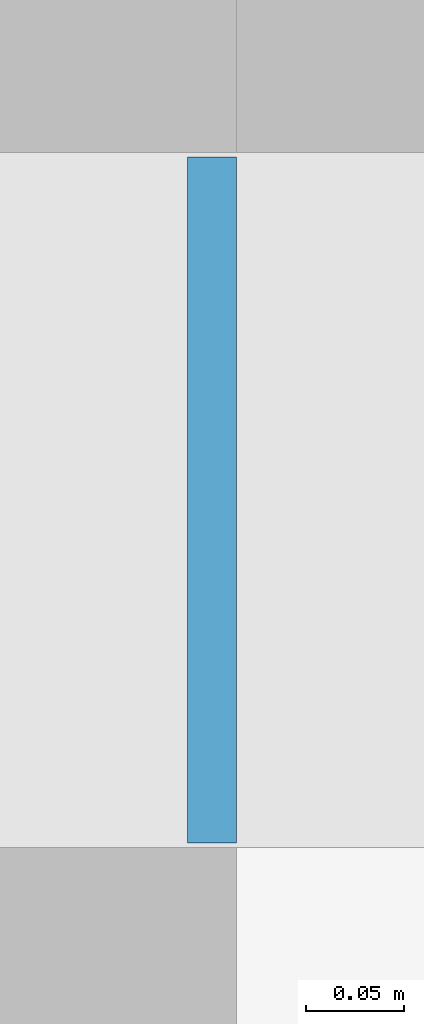
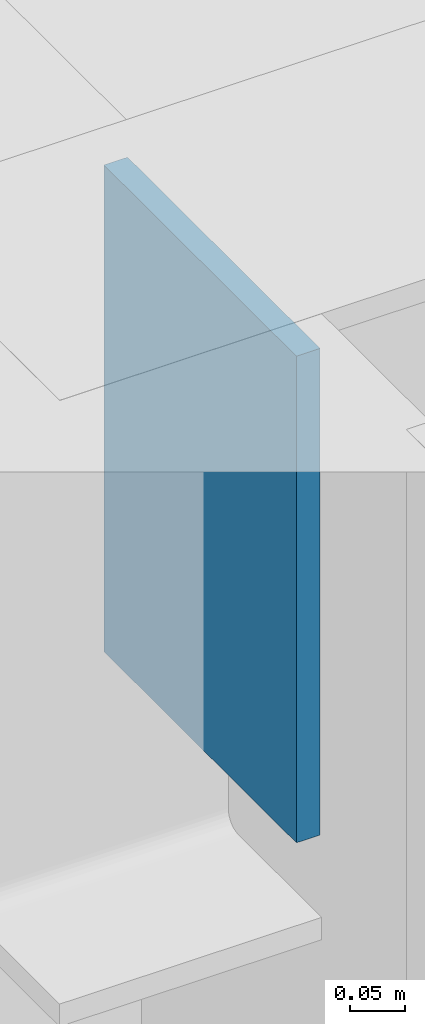
# One storey, part 8 of 13: 1 discrete accessory.
"""IFC4 building model written with IfcOpenShell, lengths in metres."""

from ifc_helpers import new_model, si_unit, direction, frame, origin, origin_2d, place, context, subcontext, project, spatial, rectangle, extrude, material, layer, layer_set, type_object, element, save


model = new_model("IFC4")

# Units and contexts
model_context = context("Model", 3, precision=1e-05, world=origin(), true_north=direction((0.0, 1.0)))
body_context = subcontext(model_context, "Body", "Model", "MODEL_VIEW")
ifc_project = project(units=[si_unit("LENGTHUNIT", "METRE"), si_unit("AREAUNIT", "SQUARE_METRE"), si_unit("VOLUMEUNIT", "CUBIC_METRE"), si_unit("PLANEANGLEUNIT", "RADIAN"), si_unit("MASSUNIT", "GRAM", prefix="KILO")], contexts=[model_context])

# Site, building, storey
site_placement = place(None, origin())
site = spatial("IfcSite", under=ifc_project, at=site_placement, CompositionType="ELEMENT")
building_placement = place(site_placement, origin())
building = spatial("IfcBuilding", under=site, at=building_placement, Name="Norrvale University Quadrangle", CompositionType="ELEMENT")
storey_placement = place(building_placement, frame((0.0, 0.0, 277.199951171875)))
storey = spatial("IfcBuildingStorey", under=building, at=storey_placement, Name="L70", CompositionType="ELEMENT", Elevation=277.199951171875)

# Discrete accessory
ifc_material = material(Name="Steel 350W", Category="steel")
ifc_layer = layer(ifc_material, 0.02490234375, Name="Steel 350W")
ifc_layer_set = layer_set([ifc_layer], Name="Steel 350W")
discrete_accessory_type = type_object("IfcDiscreteAccessoryType", Name="Accessory Cast In Embed Plate", PredefinedType="ANCHORPLATE", material=ifc_layer_set)
discrete_accessory_placement = place(storey_placement, frame((17.0625, 47.25, 2.9599609375), z_axis=(0.0, 0.0, 1.0), x_axis=(1.0, 0.0, 0.0)))
element("IfcDiscreteAccessory", 1, at=discrete_accessory_placement, inside=storey, type_object=discrete_accessory_type, Name="Core Wall Cast-in Embed Plate L70-GCE043", PredefinedType="ANCHORPLATE", context=body_context, shape_type="SweptSolid", body=[
    extrude(rectangle(XDim=0.02490234375, YDim=0.35009765625, at=origin_2d()), origin(), (0.0, 0.0, 1.0), 0.5400390625),
])

save(model, "model.ifc")
